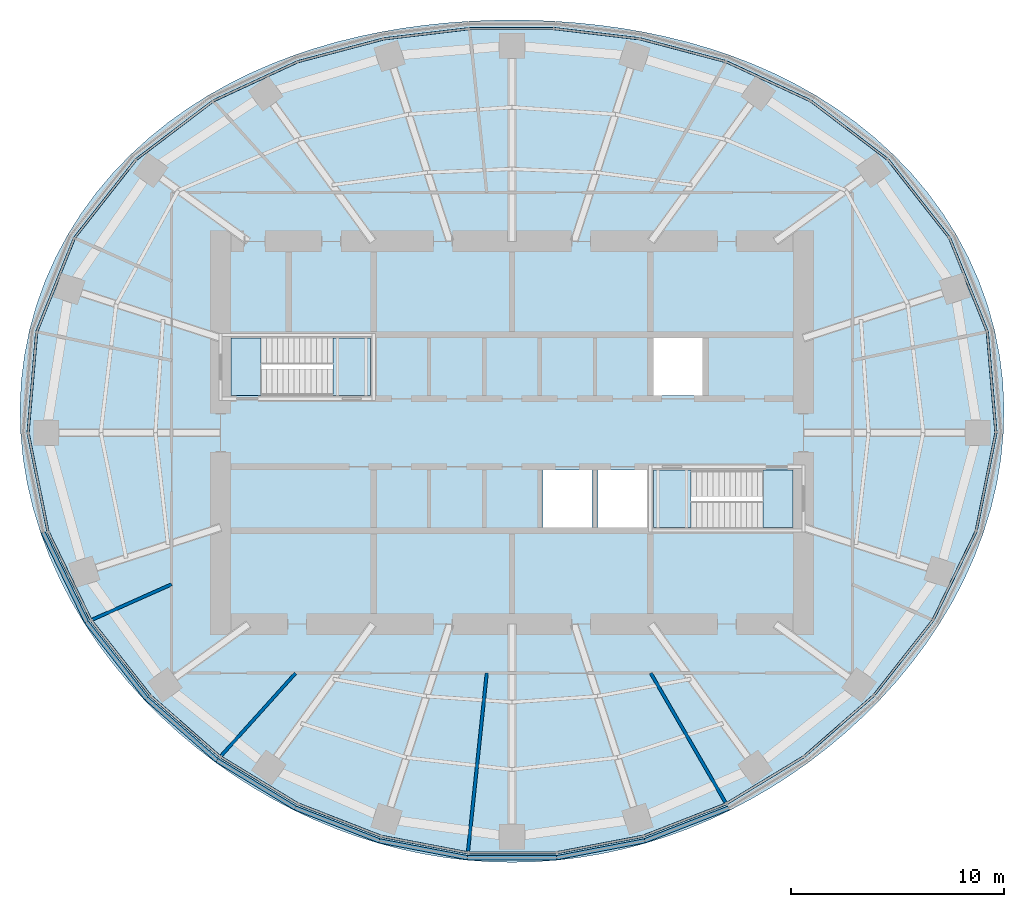
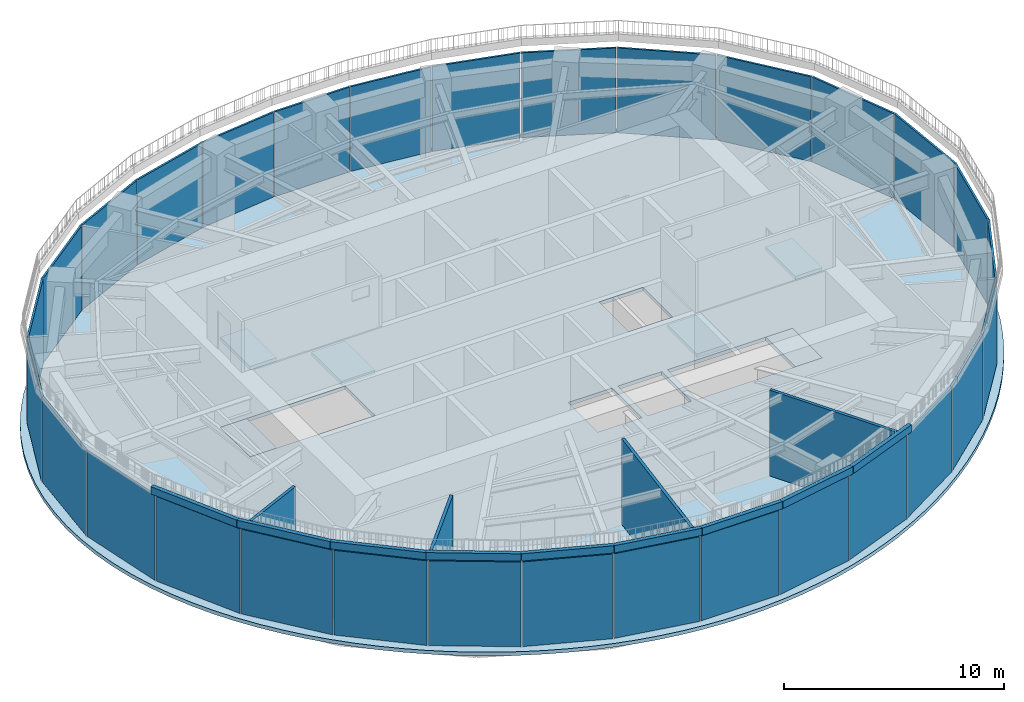
# One storey, part 9 of 19: 30 plates, 13 walls, 7 slabs, 8 elements without a shape of their own.
"""IFC4 building model written with IfcOpenShell, lengths in metres."""

import ifcopenshell
import ifcopenshell.guid

model = None  # the IFC model being written
_history = None  # IfcOwnerHistory: only IFC2X3 demands one
_inside = {}  # id of a spatial element -> (the spatial element, [elements in it])
_under = {}  # id of a project, library or spatial element -> (it, [spatial elements below it])
_declared = {}  # id of a project -> (the project, [libraries it declares])
_typed = {}  # id of a type object -> (the type object, [elements of that type])
_made_of = {}  # id of a material, layer set ... -> (it, [elements and type objects made of it])


def new_model(schema):
    """Start an empty IFC model of exactly this schema.

    Asked for "IFC4X3", IfcOpenShell would pick the latest addendum, in which some entities
    have other attributes; the version numbers below select the first issue.
    IFC2X3 requires an IfcOwnerHistory on every rooted entity: one is made here for all.
    """
    global model, _history
    if schema == "IFC4X3":
        model = ifcopenshell.file(schema_version=(4, 3, 0, 0))
    else:
        model = ifcopenshell.file(schema=schema)
    _inside.clear()
    _under.clear()
    _declared.clear()
    _typed.clear()
    _made_of.clear()
    _history = None
    if model.schema == "IFC2X3":
        org = make("IfcOrganization", Name="unknown")
        user = make(
            "IfcPersonAndOrganization",
            ThePerson=make("IfcPerson", FamilyName="unknown"),
            TheOrganization=org,
        )
        app = make(
            "IfcApplication",
            ApplicationDeveloper=org,
            Version="unknown",
            ApplicationFullName="unknown",
            ApplicationIdentifier="unknown",
        )
        _history = make(
            "IfcOwnerHistory",
            OwningUser=user,
            OwningApplication=app,
            ChangeAction="ADDED",
            CreationDate=0,
        )
    return model


def make(cls, **values):
    """One entity of the class cls with the attributes given. An attribute that is None is left unset."""
    return model.create_entity(
        cls, **{name: value for name, value in values.items() if value is not None}
    )


def rooted(cls, **values):
    """An entity with a GlobalId (a new one), such as an element, a storey or a relation."""
    return make(cls, GlobalId=ifcopenshell.guid.new(), OwnerHistory=_history, **values)


def si_unit(unit_type, name, prefix=None):
    """IfcSIUnit, for example si_unit("LENGTHUNIT", "METRE", prefix="MILLI")."""
    return make("IfcSIUnit", UnitType=unit_type, Prefix=prefix, Name=name)


def assignment(units):
    """IfcUnitAssignment: the units of a project."""
    return None if units is None else make("IfcUnitAssignment", Units=units)


def point(xyz):
    """IfcCartesianPoint."""
    return None if xyz is None else make("IfcCartesianPoint", Coordinates=xyz)


def direction(xyz):
    """IfcDirection."""
    return None if xyz is None else make("IfcDirection", DirectionRatios=xyz)


def frame(location, z_axis=None, x_axis=None):
    """IfcAxis2Placement3D, a coordinate frame: its origin and axes. An axis left out is left unset."""
    return make(
        "IfcAxis2Placement3D",
        Location=point(location),
        Axis=direction(z_axis),
        RefDirection=direction(x_axis),
    )


def frame_2d(location, x_axis=None):
    """IfcAxis2Placement2D, a coordinate frame in the plane: its origin and x axis."""
    return make(
        "IfcAxis2Placement2D", Location=point(location), RefDirection=direction(x_axis)
    )


def origin():
    """The frame at (0, 0, 0) with its axes left unset."""
    return frame((0.0, 0.0, 0.0))


def origin_2d():
    """The frame at (0, 0) in the plane with its x axis left unset."""
    return frame_2d((0.0, 0.0))


def place(relative_to, where):
    """IfcLocalPlacement: puts the frame where relative to a parent placement (None: the world)."""
    return make(
        "IfcLocalPlacement", PlacementRelTo=relative_to, RelativePlacement=where
    )


def context(
    kind, dimensions, precision=None, world=None, true_north=None, identifier=None
):
    """IfcGeometricRepresentationContext, for example the 3D "Model" context."""
    return make(
        "IfcGeometricRepresentationContext",
        ContextIdentifier=identifier,
        ContextType=kind,
        CoordinateSpaceDimension=dimensions,
        Precision=precision,
        WorldCoordinateSystem=world,
        TrueNorth=true_north,
    )


def subcontext(parent, identifier, kind, view, scale=None):
    """IfcGeometricRepresentationSubContext, for example "Body" below "Model"."""
    return make(
        "IfcGeometricRepresentationSubContext",
        ContextIdentifier=identifier,
        ContextType=kind,
        ParentContext=parent,
        TargetScale=scale,
        TargetView=view,
    )


def project(units=None, contexts=None):
    """IfcProject with its units and contexts."""
    return rooted(
        "IfcProject",
        Name="project",
        RepresentationContexts=contexts,
        UnitsInContext=assignment(units),
    )


def spatial(cls, under=None, at=None, **own):
    """A site, building, storey or space (cls), placed at a placement, below another one or the project."""
    s = rooted(cls, ObjectPlacement=at, **own)
    if under is not None:
        _under.setdefault(under.id(), (under, []))[1].append(s)
    return s


def polyline(points):
    """IfcPolyline through the points."""
    return make("IfcPolyline", Points=[point(p) for p in points])


def profile(cls, at=None, kind="AREA", **sizes):
    """A parametric profile (cls). Its sizes go by their IFC names, for example OverallWidth=200.0."""
    return make(cls, ProfileType=kind, Position=at, **sizes)


def rectangle(**sizes):
    """IfcRectangleProfileDef."""
    return profile("IfcRectangleProfileDef", **sizes)


def outline(outer, holes=None, kind="AREA"):
    """IfcArbitraryClosedProfileDef: a profile drawn as a closed curve; with holes, ...WithVoids."""
    if holes is None:
        return make("IfcArbitraryClosedProfileDef", ProfileType=kind, OuterCurve=outer)
    return make(
        "IfcArbitraryProfileDefWithVoids",
        ProfileType=kind,
        OuterCurve=outer,
        InnerCurves=holes,
    )


def extrude(swept, where, along, depth):
    """IfcExtrudedAreaSolid: the profile swept, set in the frame where, extruded along a direction by depth."""
    return make(
        "IfcExtrudedAreaSolid",
        SweptArea=swept,
        Position=where,
        ExtrudedDirection=direction(along),
        Depth=depth,
    )


def shape(context_of_items, identifier, shape_type, items):
    """IfcShapeRepresentation: the items that make up one representation, for example the "Body"."""
    return make(
        "IfcShapeRepresentation",
        ContextOfItems=context_of_items,
        RepresentationIdentifier=identifier,
        RepresentationType=shape_type,
        Items=items,
    )


def material(Name=None, Category=None):
    """IfcMaterial."""
    return make("IfcMaterial", Name=Name, Category=Category)


def layer(
    of_material, thickness, ventilated=None, Name=None, Category=None, Priority=None
):
    """IfcMaterialLayer: one layer of a wall or slab, of a material (None: an air gap)."""
    return make(
        "IfcMaterialLayer",
        Material=of_material,
        LayerThickness=thickness,
        IsVentilated=ventilated,
        Name=Name,
        Category=Category,
        Priority=Priority,
    )


def layer_set(layers, Name=None):
    """IfcMaterialLayerSet."""
    return make("IfcMaterialLayerSet", MaterialLayers=layers, LayerSetName=Name)


def made_of(thing, what):
    """Note that an element or type object is made of a material, layer set ...; save() writes the relation."""
    if what is not None:
        _made_of.setdefault(what.id(), (what, []))[1].append(thing)
    return thing


def type_object(cls, material=None, **own):
    """A type object (cls), such as IfcWallType, which elements share."""
    return made_of(rooted(cls, **own), material)


def element(
    cls,
    number,
    at=None,
    inside=None,
    cuts=None,
    type_object=None,
    material=None,
    context=None,
    identifier="Body",
    shape_type=None,
    held_by="IfcProductDefinitionShape",
    body=None,
    shapes=None,
    **own,
):
    """One element of the class cls, such as IfcWall. Its Tag is "e" and its number.

    at: its placement. inside: the storey or other place that contains it. cuts: it is an
    opening in that element (IfcRelVoidsElement). A single representation is given by context,
    identifier, shape_type and body (its items); several are given by shapes. held_by: the class
    of the entity that holds the representations. save() writes the other relations.
    """
    e = rooted(cls, Tag="e%d" % number, ObjectPlacement=at, **own)
    if body is not None:
        shapes = [shape(context, identifier, shape_type, body)]
    if shapes is not None:
        e.Representation = make(held_by, Representations=shapes)
    if inside is not None:
        _inside.setdefault(inside.id(), (inside, []))[1].append(e)
    if cuts is not None:
        rooted(
            "IfcRelVoidsElement", RelatingBuildingElement=cuts, RelatedOpeningElement=e
        )
    if type_object is not None:
        _typed.setdefault(type_object.id(), (type_object, []))[1].append(e)
    return made_of(e, material)


def aggregate(whole, parts):
    """IfcRelAggregates: a whole, such as a stair, and the parts it consists of."""
    return rooted("IfcRelAggregates", RelatingObject=whole, RelatedObjects=parts)


def save(model, path):
    """Write the relations noted so far, then the file.

    IfcRelAggregates (storeys below a building ...), IfcRelContainedInSpatialStructure (elements
    in a storey), IfcRelDefinesByType, IfcRelAssociatesMaterial and IfcRelDeclares: one each for
    every whole, place, type object, material and project.
    """
    for whole, parts in _under.values():
        aggregate(whole, parts)
    for where, things in _inside.values():
        rooted(
            "IfcRelContainedInSpatialStructure",
            RelatedElements=things,
            RelatingStructure=where,
        )
    for kind, things in _typed.values():
        rooted("IfcRelDefinesByType", RelatedObjects=things, RelatingType=kind)
    for what, things in _made_of.values():
        rooted("IfcRelAssociatesMaterial", RelatedObjects=things, RelatingMaterial=what)
    for by, libraries in _declared.values():
        rooted("IfcRelDeclares", RelatingContext=by, RelatedDefinitions=libraries)
    model.write(path)


model = new_model("IFC4")

# Units and contexts
model_context = context("Model", 3, precision=1e-05, world=origin(), true_north=direction((0.0, 1.0)))
body_context = subcontext(model_context, "Body", "Model", "MODEL_VIEW")
ifc_project = project(units=[si_unit("LENGTHUNIT", "METRE"), si_unit("AREAUNIT", "SQUARE_METRE"), si_unit("VOLUMEUNIT", "CUBIC_METRE"), si_unit("PLANEANGLEUNIT", "RADIAN"), si_unit("MASSUNIT", "GRAM", prefix="KILO")], contexts=[model_context])

# Site, building, storey
site_placement = place(None, origin())
site = spatial("IfcSite", under=ifc_project, at=site_placement, CompositionType="ELEMENT")
building_placement = place(site_placement, origin())
building = spatial("IfcBuilding", under=site, at=building_placement, Name="Marramba Exchange Tower", CompositionType="ELEMENT")
storey_placement = place(building_placement, frame((0.0, 0.0, 277.0)))
storey = spatial("IfcBuildingStorey", under=building, at=storey_placement, Name="L67", CompositionType="ELEMENT", Elevation=277.0)

# Slab
ifc_material_1 = material(Name="Concrete N40", Category="concrete")
ifc_layer_1 = layer(ifc_material_1, 0.199951171875)
ifc_layer_set_1 = layer_set([ifc_layer_1], Name="Floor slab 200")
slab_type_1 = type_object("IfcSlabType", Name="Floor slab 200", PredefinedType="FLOOR", material=ifc_layer_set_1)
slab_1_placement = place(storey_placement, frame((0.0, 0.0, -0.199951171875)))
element("IfcSlab", 1, at=slab_1_placement, inside=storey, type_object=slab_type_1, Name="Floor slab L67", PredefinedType="FLOOR", context=body_context, shape_type="SweptSolid", body=[
    extrude(outline(polyline([(23.10009765625, 0.0), (23.129150390625, 1.212158203125), (23.070068359375, 2.4248046875), (22.921630859375, 3.63037109375), (22.6845703125, 4.82177734375), (22.359619140625, 5.9912109375), (21.94970703125, 7.1318359375), (21.4580078125, 8.237060546875), (20.889404296875, 9.300537109375), (20.248779296875, 10.3173828125), (19.542236328125, 11.28271484375), (18.77587890625, 12.193359375), (17.95654296875, 13.046142578125), (17.090576171875, 13.83984375), (16.18505859375, 14.572998046875), (15.245849609375, 15.245849609375), (14.279541015625, 15.85888671875), (13.291259765625, 16.413330078125), (12.28662109375, 16.9111328125), (11.270263671875, 17.3544921875), (10.24560546875, 17.745849609375), (9.21630859375, 18.088134765625), (8.185302734375, 18.38427734375), (7.154296875, 18.63720703125), (6.124755859375, 18.849853515625), (5.09765625, 19.024658203125), (4.073486328125, 19.1640625), (3.05224609375, 19.2705078125), (2.033203125, 19.344970703125), (1.01611328125, 19.389404296875), (0.0, 19.404052734375), (-1.01611328125, 19.389404296875), (-2.033203125, 19.344970703125), (-3.05224609375, 19.2705078125), (-4.073486328125, 19.1640625), (-5.09765625, 19.024658203125), (-6.124755859375, 18.849853515625), (-7.154296875, 18.63720703125), (-8.185302734375, 18.38427734375), (-9.21630859375, 18.088134765625), (-10.24560546875, 17.745849609375), (-11.270263671875, 17.3544921875), (-12.28662109375, 16.9111328125), (-13.291259765625, 16.413330078125), (-14.279541015625, 15.85888671875), (-15.245849609375, 15.245849609375), (-16.18505859375, 14.572998046875), (-17.090576171875, 13.83984375), (-17.95654296875, 13.046142578125), (-18.77587890625, 12.193359375), (-19.542236328125, 11.28271484375), (-20.248779296875, 10.3173828125), (-20.889404296875, 9.300537109375), (-21.4580078125, 8.237060546875), (-21.94970703125, 7.1318359375), (-22.359619140625, 5.9912109375), (-22.6845703125, 4.82177734375), (-22.921630859375, 3.63037109375), (-23.070068359375, 2.4248046875), (-23.129150390625, 1.212158203125), (-23.10009765625, 0.0), (-22.98486328125, -1.20458984375), (-22.78662109375, -2.39501953125), (-22.50927734375, -3.565185546875), (-22.1572265625, -4.709716796875), (-21.736083984375, -5.82421875), (-21.250732421875, -6.90478515625), (-20.706787109375, -7.948486328125), (-20.109619140625, -8.953369140625), (-19.46435546875, -9.91748046875), (-18.77587890625, -10.84033203125), (-18.048583984375, -11.720947265625), (-17.2861328125, -12.55908203125), (-16.4921875, -13.355224609375), (-15.669677734375, -14.10888671875), (-14.820556640625, -14.820556640625), (-13.947509765625, -15.490478515625), (-13.05224609375, -16.1181640625), (-12.1357421875, -16.703369140625), (-11.199951171875, -17.246337890625), (-10.24560546875, -17.745849609375), (-9.274169921875, -18.20166015625), (-8.287109375, -18.613037109375), (-7.285400390625, -18.978759765625), (-6.2705078125, -19.29833984375), (-5.243896484375, -19.570556640625), (-4.20751953125, -19.79443359375), (-3.162841796875, -19.9697265625), (-2.112060546875, -20.09521484375), (-1.05712890625, -20.1708984375), (0.0, -20.196044921875), (1.05712890625, -20.1708984375), (2.112060546875, -20.09521484375), (3.162841796875, -19.9697265625), (4.20751953125, -19.79443359375), (5.243896484375, -19.570556640625), (6.2705078125, -19.29833984375), (7.285400390625, -18.978759765625), (8.287109375, -18.613037109375), (9.274169921875, -18.20166015625), (10.24560546875, -17.745849609375), (11.199951171875, -17.246337890625), (12.1357421875, -16.703369140625), (13.05224609375, -16.1181640625), (13.947509765625, -15.490478515625), (14.820556640625, -14.820556640625), (15.669677734375, -14.10888671875), (16.4921875, -13.355224609375), (17.2861328125, -12.55908203125), (18.048583984375, -11.720947265625), (18.77587890625, -10.84033203125), (19.46435546875, -9.91748046875), (20.109619140625, -8.953369140625), (20.706787109375, -7.948486328125), (21.250732421875, -6.90478515625), (21.736083984375, -5.82421875), (22.1572265625, -4.709716796875), (22.50927734375, -3.565185546875), (22.78662109375, -2.39501953125), (22.98486328125, -1.20458984375), (23.10009765625, 0.0)]), holes=[polyline([(1.449951171875, -4.449951171875), (3.75, -4.449951171875), (3.75, -1.75), (1.449951171875, -1.75), (1.449951171875, -4.449951171875)]), polyline([(4.050048828125, -4.449951171875), (6.35009765625, -4.449951171875), (6.35009765625, -1.75), (4.050048828125, -1.75), (4.050048828125, -4.449951171875)]), polyline([(6.64990234375, 1.75), (8.949951171875, 1.75), (8.949951171875, 4.449951171875), (6.64990234375, 4.449951171875), (6.64990234375, 1.75)]), polyline([(-13.199951171875, 1.75), (-6.64990234375, 1.75), (-6.64990234375, 4.449951171875), (-13.199951171875, 4.449951171875), (-13.199951171875, 1.75)]), polyline([(6.64990234375, -4.449951171875), (13.199951171875, -4.449951171875), (13.199951171875, -1.75), (6.64990234375, -1.75), (6.64990234375, -4.449951171875)])]), origin(), (0.0, 0.0, 1.0), 0.199951171875),
])

# Curtain wall, plates
ifc_material_2 = material(Name="Aluminium framing, bronze anodised", Category="aluminium")
curtain_wall_type = type_object("IfcCurtainWallType", Name="Plant floor louvred curtain wall", PredefinedType="USERDEFINED", material=ifc_material_2)
curtain_wall_1_placement = place(storey_placement, origin())
curtain_wall_1 = element("IfcCurtainWall", 2, at=curtain_wall_1_placement, inside=storey, type_object=curtain_wall_type, Name="Curtain wall CW6 L67 F01-F05", ObjectType="RIBBON CURTAIN WALL", PredefinedType="USERDEFINED")
ifc_material_3 = material(Name="Aluminium louvre bank 100 deep, bronze anodised", Category="aluminium")
ifc_layer_2 = layer(ifc_material_3, 0.10009765625)
ifc_layer_set_2 = layer_set([ifc_layer_2], Name="Plant floor louvred curtain wall panel")
plate_type = type_object("IfcPlateType", Name="Plant floor louvred curtain wall panel", PredefinedType="CURTAIN_PANEL", material=ifc_layer_set_2)
plate_1_placement = place(storey_placement, frame((22.54345703125, 2.404296875, 0.06005859375), z_axis=(0.0, 0.0, 1.0), x_axis=(-0.085574009881, 0.996331816632, 0.0)))
plate_1 = element("IfcPlate", 3, at=plate_1_placement, type_object=plate_type, Name="CW6 vision panel", PredefinedType="CURTAIN_PANEL", context=body_context, shape_type="SweptSolid", body=[
    extrude(rectangle(XDim=4.70654296875, YDim=0.10009765625, at=origin_2d()), origin(), (0.0, 0.0, 1.0), 4.68994140625),
])
plate_2_placement = place(storey_placement, frame((21.444580078125, 6.9814453125, 0.06005859375), z_axis=(0.0, 0.0, 1.0), x_axis=(-0.372983090774, 0.927838139977, 0.0)))
plate_2 = element("IfcPlate", 4, at=plate_2_placement, type_object=plate_type, Name="CW6 vision panel", PredefinedType="CURTAIN_PANEL", context=body_context, shape_type="SweptSolid", body=[
    extrude(rectangle(XDim=4.692138671875, YDim=0.10009765625, at=origin_2d()), origin(), (0.0, 0.0, 1.0), 4.68994140625),
])
plate_3_placement = place(storey_placement, frame((19.10302734375, 11.02294921875, 0.06005859375), z_axis=(0.0, 0.0, 1.0), x_axis=(-0.618222857512, 0.786002861604, 0.0)))
plate_3 = element("IfcPlate", 5, at=plate_3_placement, type_object=plate_type, Name="CW6 vision panel", PredefinedType="CURTAIN_PANEL", context=body_context, shape_type="SweptSolid", body=[
    extrude(rectangle(XDim=4.624755859375, YDim=0.10009765625, at=origin_2d()), origin(), (0.0, 0.0, 1.0), 4.68994140625),
])
plate_4_placement = place(storey_placement, frame((15.83544921875, 14.23779296875, 0.06005859375), z_axis=(0.0, 0.0, 1.0), x_axis=(-0.796058900199, 0.605219156516, 0.0)))
plate_4 = element("IfcPlate", 6, at=plate_4_placement, type_object=plate_type, Name="CW6 vision panel", PredefinedType="CURTAIN_PANEL", context=body_context, shape_type="SweptSolid", body=[
    extrude(rectangle(XDim=4.49755859375, YDim=0.10009765625, at=origin_2d()), origin(), (0.0, 0.0, 1.0), 4.68994140625),
])
plate_5_placement = place(storey_placement, frame((12.03076171875, 16.533447265625, 0.06005859375), z_axis=(0.0, 0.0, 1.0), x_axis=(-0.90713057934, 0.420849274712, 0.0)))
plate_5 = element("IfcPlate", 7, at=plate_5_placement, type_object=plate_type, Name="CW6 vision panel", PredefinedType="CURTAIN_PANEL", context=body_context, shape_type="SweptSolid", body=[
    extrude(rectangle(XDim=4.321533203125, YDim=0.10009765625, at=origin_2d()), origin(), (0.0, 0.0, 1.0), 4.68994140625),
])
aggregate(curtain_wall_1, [plate_1, plate_2, plate_3, plate_4, plate_5])

curtain_wall_2_placement = place(storey_placement, origin())
curtain_wall_2 = element("IfcCurtainWall", 8, at=curtain_wall_2_placement, inside=storey, type_object=curtain_wall_type, Name="Curtain wall CW6 L67 F06-F10", ObjectType="RIBBON CURTAIN WALL", PredefinedType="USERDEFINED")
plate_6_placement = place(storey_placement, frame((8.0146484375, 17.987548828125, 0.06005859375), z_axis=(0.0, 0.0, 1.0), x_axis=(-0.966643517501, 0.256125574813, 0.0)))
plate_6 = element("IfcPlate", 9, at=plate_6_placement, type_object=plate_type, Name="CW6 vision panel", PredefinedType="CURTAIN_PANEL", context=body_context, shape_type="SweptSolid", body=[
    extrude(rectangle(XDim=4.134033203125, YDim=0.10009765625, at=origin_2d()), origin(), (0.0, 0.0, 1.0), 4.68994140625),
])
plate_7_placement = place(storey_placement, frame((3.976806640625, 18.760498046875, 0.06005859375), z_axis=(0.0, 0.0, 1.0), x_axis=(-0.992947253654, 0.118556954505, 0.0)))
plate_7 = element("IfcPlate", 10, at=plate_7_placement, type_object=plate_type, Name="CW6 vision panel", PredefinedType="CURTAIN_PANEL", context=body_context, shape_type="SweptSolid", body=[
    extrude(rectangle(XDim=3.988525390625, YDim=0.10009765625, at=origin_2d()), origin(), (0.0, 0.0, 1.0), 4.68994140625),
])
plate_8_placement = place(storey_placement, frame((-0.030029296875, 18.9970703125, 0.06005859375), z_axis=(0.0, 0.0, 1.0), x_axis=(-1.0, 0.0, 0.0)))
plate_8 = element("IfcPlate", 11, at=plate_8_placement, type_object=plate_type, Name="CW6 vision panel", PredefinedType="CURTAIN_PANEL", context=body_context, shape_type="SweptSolid", body=[
    extrude(rectangle(XDim=3.933349609375, YDim=0.10009765625, at=origin_2d()), origin(), (0.0, 0.0, 1.0), 4.68994140625),
])
plate_9_placement = place(storey_placement, frame((-4.036376953125, 18.75341796875, 0.06005859375), z_axis=(0.0, 0.0, 1.0), x_axis=(-0.992947253654, -0.118556954505, 0.0)))
plate_9 = element("IfcPlate", 12, at=plate_9_placement, type_object=plate_type, Name="CW6 vision panel", PredefinedType="CURTAIN_PANEL", context=body_context, shape_type="SweptSolid", body=[
    extrude(rectangle(XDim=3.988525390625, YDim=0.10009765625, at=origin_2d()), origin(), (0.0, 0.0, 1.0), 4.68994140625),
])
plate_10_placement = place(storey_placement, frame((-8.072509765625, 17.97216796875, 0.06005859375), z_axis=(0.0, 0.0, 1.0), x_axis=(-0.966643517501, -0.256125574813, 0.0)))
plate_10 = element("IfcPlate", 13, at=plate_10_placement, type_object=plate_type, Name="CW6 vision panel", PredefinedType="CURTAIN_PANEL", context=body_context, shape_type="SweptSolid", body=[
    extrude(rectangle(XDim=4.134033203125, YDim=0.10009765625, at=origin_2d()), origin(), (0.0, 0.0, 1.0), 4.68994140625),
])
aggregate(curtain_wall_2, [plate_6, plate_7, plate_8, plate_9, plate_10])

curtain_wall_3_placement = place(storey_placement, origin())
curtain_wall_3 = element("IfcCurtainWall", 14, at=curtain_wall_3_placement, inside=storey, type_object=curtain_wall_type, Name="Curtain wall CW6 L67 F11-F15", ObjectType="RIBBON CURTAIN WALL", PredefinedType="USERDEFINED")
plate_11_placement = place(storey_placement, frame((-12.085205078125, 16.50830078125, 0.06005859375), z_axis=(0.0, 0.0, 1.0), x_axis=(-0.90713057934, -0.420849274712, 0.0)))
plate_11 = element("IfcPlate", 15, at=plate_11_placement, type_object=plate_type, Name="CW6 vision panel", PredefinedType="CURTAIN_PANEL", context=body_context, shape_type="SweptSolid", body=[
    extrude(rectangle(XDim=4.321533203125, YDim=0.10009765625, at=origin_2d()), origin(), (0.0, 0.0, 1.0), 4.68994140625),
])
plate_12_placement = place(storey_placement, frame((-15.88330078125, 14.201416015625, 0.06005859375), z_axis=(0.0, 0.0, 1.0), x_axis=(-0.796058900199, -0.605219156516, 0.0)))
plate_12 = element("IfcPlate", 16, at=plate_12_placement, type_object=plate_type, Name="CW6 vision panel", PredefinedType="CURTAIN_PANEL", context=body_context, shape_type="SweptSolid", body=[
    extrude(rectangle(XDim=4.49755859375, YDim=0.10009765625, at=origin_2d()), origin(), (0.0, 0.0, 1.0), 4.68994140625),
])
plate_13_placement = place(storey_placement, frame((-19.14013671875, 10.975830078125, 0.06005859375), z_axis=(0.0, 0.0, 1.0), x_axis=(-0.618222857512, -0.786002861604, 0.0)))
plate_13 = element("IfcPlate", 17, at=plate_13_placement, type_object=plate_type, Name="CW6 vision panel", PredefinedType="CURTAIN_PANEL", context=body_context, shape_type="SweptSolid", body=[
    extrude(rectangle(XDim=4.624755859375, YDim=0.10009765625, at=origin_2d()), origin(), (0.0, 0.0, 1.0), 4.68994140625),
])
plate_14_placement = place(storey_placement, frame((-21.467041015625, 6.92578125, 0.06005859375), z_axis=(0.0, 0.0, 1.0), x_axis=(-0.372983090774, -0.927838139977, 0.0)))
plate_14 = element("IfcPlate", 18, at=plate_14_placement, type_object=plate_type, Name="CW6 vision panel", PredefinedType="CURTAIN_PANEL", context=body_context, shape_type="SweptSolid", body=[
    extrude(rectangle(XDim=4.692138671875, YDim=0.10009765625, at=origin_2d()), origin(), (0.0, 0.0, 1.0), 4.68994140625),
])
plate_15_placement = place(storey_placement, frame((-22.548583984375, 2.344482421875, 0.06005859375), z_axis=(0.0, 0.0, 1.0), x_axis=(-0.085574009881, -0.996331816632, 0.0)))
plate_15 = element("IfcPlate", 19, at=plate_15_placement, type_object=plate_type, Name="CW6 vision panel", PredefinedType="CURTAIN_PANEL", context=body_context, shape_type="SweptSolid", body=[
    extrude(rectangle(XDim=4.70654296875, YDim=0.10009765625, at=origin_2d()), origin(), (0.0, 0.0, 1.0), 4.68994140625),
])
aggregate(curtain_wall_3, [plate_11, plate_12, plate_13, plate_14, plate_15])

curtain_wall_4_placement = place(storey_placement, origin())
curtain_wall_4 = element("IfcCurtainWall", 20, at=curtain_wall_4_placement, inside=storey, type_object=curtain_wall_type, Name="Curtain wall CW6 L67 F16-F20", ObjectType="RIBBON CURTAIN WALL", PredefinedType="USERDEFINED")
plate_16_placement = place(storey_placement, frame((-22.276611328125, -2.347900390625, 0.06005859375), z_axis=(0.0, 0.0, 1.0), x_axis=(0.19767053089, -0.980268514856, 0.0)))
plate_16 = element("IfcPlate", 21, at=plate_16_placement, type_object=plate_type, Name="CW6 vision panel", PredefinedType="CURTAIN_PANEL", context=body_context, shape_type="SweptSolid", body=[
    extrude(rectangle(XDim=4.670166015625, YDim=0.10009765625, at=origin_2d()), origin(), (0.0, 0.0, 1.0), 4.68994140625),
])
plate_17_placement = place(storey_placement, frame((-20.789306640625, -6.7509765625, 0.06005859375), z_axis=(0.0, 0.0, 1.0), x_axis=(0.436514585945, -0.89969718031, 0.0)))
plate_17 = element("IfcPlate", 22, at=plate_17_placement, type_object=plate_type, Name="CW6 vision panel", PredefinedType="CURTAIN_PANEL", context=body_context, shape_type="SweptSolid", body=[
    extrude(rectangle(XDim=4.579345703125, YDim=0.10009765625, at=origin_2d()), origin(), (0.0, 0.0, 1.0), 4.68994140625),
])
plate_18_placement = place(storey_placement, frame((-18.3779296875, -10.605712890625, 0.06005859375), z_axis=(0.0, 0.0, 1.0), x_axis=(0.618290634763, -0.78594954734, 0.0)))
plate_18 = element("IfcPlate", 23, at=plate_18_placement, type_object=plate_type, Name="CW6 vision panel", PredefinedType="CURTAIN_PANEL", context=body_context, shape_type="SweptSolid", body=[
    extrude(rectangle(XDim=4.447265625, YDim=0.10009765625, at=origin_2d()), origin(), (0.0, 0.0, 1.0), 4.68994140625),
])
plate_19_placement = place(storey_placement, frame((-15.335693359375, -13.8115234375, 0.06005859375), z_axis=(0.0, 0.0, 1.0), x_axis=(0.752751050569, -0.658305290779, 0.0)))
plate_19 = element("IfcPlate", 24, at=plate_19_placement, type_object=plate_type, Name="CW6 vision panel", PredefinedType="CURTAIN_PANEL", context=body_context, shape_type="SweptSolid", body=[
    extrude(rectangle(XDim=4.31005859375, YDim=0.10009765625, at=origin_2d()), origin(), (0.0, 0.0, 1.0), 4.68994140625),
])
plate_20_placement = place(storey_placement, frame((-11.866455078125, -16.35205078125, 0.06005859375), z_axis=(0.0, 0.0, 1.0), x_axis=(0.854704329539, -0.519115121209, 0.0)))
plate_20 = element("IfcPlate", 25, at=plate_20_placement, type_object=plate_type, Name="CW6 vision panel", PredefinedType="CURTAIN_PANEL", context=body_context, shape_type="SweptSolid", body=[
    extrude(rectangle(XDim=4.2021484375, YDim=0.10009765625, at=origin_2d()), origin(), (0.0, 0.0, 1.0), 4.68994140625),
])
aggregate(curtain_wall_4, [plate_16, plate_17, plate_18, plate_19, plate_20])

curtain_wall_5_placement = place(storey_placement, origin())
curtain_wall_5 = element("IfcCurtainWall", 26, at=curtain_wall_5_placement, inside=storey, type_object=curtain_wall_type, Name="Curtain wall CW6 L67 F21-F25", ObjectType="RIBBON CURTAIN WALL", PredefinedType="USERDEFINED")
plate_21_placement = place(storey_placement, frame((-8.08837890625, -18.215087890625, 0.06005859375), z_axis=(0.0, 0.0, 1.0), x_axis=(0.931785137859, -0.363010271018, 0.0)))
plate_21 = element("IfcPlate", 27, at=plate_21_placement, type_object=plate_type, Name="CW6 vision panel", PredefinedType="CURTAIN_PANEL", context=body_context, shape_type="SweptSolid", body=[
    extrude(rectangle(XDim=4.134521484375, YDim=0.10009765625, at=origin_2d()), origin(), (0.0, 0.0, 1.0), 4.68994140625),
])
plate_22_placement = place(storey_placement, frame((-4.08935546875, -19.36181640625, 0.06005859375), z_axis=(0.0, 0.0, 1.0), x_axis=(0.982193291127, -0.187873198899, 0.0)))
plate_22 = element("IfcPlate", 28, at=plate_22_placement, type_object=plate_type, Name="CW6 vision panel", PredefinedType="CURTAIN_PANEL", context=body_context, shape_type="SweptSolid", body=[
    extrude(rectangle(XDim=4.100830078125, YDim=0.10009765625, at=origin_2d()), origin(), (0.0, 0.0, 1.0), 4.68994140625),
])
plate_23_placement = place(storey_placement, frame((0.030029296875, -19.7470703125, 0.06005859375), z_axis=(0.0, 0.0, 1.0), x_axis=(1.0, 0.0, 0.0)))
plate_23 = element("IfcPlate", 29, at=plate_23_placement, type_object=plate_type, Name="CW6 vision panel", PredefinedType="CURTAIN_PANEL", context=body_context, shape_type="SweptSolid", body=[
    extrude(rectangle(XDim=4.091064453125, YDim=0.10009765625, at=origin_2d()), origin(), (0.0, 0.0, 1.0), 4.68994140625),
])
plate_24_placement = place(storey_placement, frame((4.1484375, -19.3505859375, 0.06005859375), z_axis=(0.0, 0.0, 1.0), x_axis=(0.982193291127, 0.187873198899, 0.0)))
plate_24 = element("IfcPlate", 30, at=plate_24_placement, type_object=plate_type, Name="CW6 vision panel", PredefinedType="CURTAIN_PANEL", context=body_context, shape_type="SweptSolid", body=[
    extrude(rectangle(XDim=4.100830078125, YDim=0.10009765625, at=origin_2d()), origin(), (0.0, 0.0, 1.0), 4.68994140625),
])
plate_25_placement = place(storey_placement, frame((8.144287109375, -18.193115234375, 0.06005859375), z_axis=(0.0, 0.0, 1.0), x_axis=(0.931785137859, 0.363010271018, 0.0)))
plate_25 = element("IfcPlate", 31, at=plate_25_placement, type_object=plate_type, Name="CW6 vision panel", PredefinedType="CURTAIN_PANEL", context=body_context, shape_type="SweptSolid", body=[
    extrude(rectangle(XDim=4.134521484375, YDim=0.10009765625, at=origin_2d()), origin(), (0.0, 0.0, 1.0), 4.68994140625),
])
aggregate(curtain_wall_5, [plate_21, plate_22, plate_23, plate_24, plate_25])

curtain_wall_6_placement = place(storey_placement, origin())
curtain_wall_6 = element("IfcCurtainWall", 32, at=curtain_wall_6_placement, inside=storey, type_object=curtain_wall_type, Name="Curtain wall CW6 L67 F26-F30", ObjectType="RIBBON CURTAIN WALL", PredefinedType="USERDEFINED")
plate_26_placement = place(storey_placement, frame((11.917724609375, -16.321044921875, 0.06005859375), z_axis=(0.0, 0.0, 1.0), x_axis=(0.854704329539, 0.519115121209, 0.0)))
plate_26 = element("IfcPlate", 33, at=plate_26_placement, type_object=plate_type, Name="CW6 vision panel", PredefinedType="CURTAIN_PANEL", context=body_context, shape_type="SweptSolid", body=[
    extrude(rectangle(XDim=4.2021484375, YDim=0.10009765625, at=origin_2d()), origin(), (0.0, 0.0, 1.0), 4.68994140625),
])
plate_27_placement = place(storey_placement, frame((15.380859375, -13.772216796875, 0.06005859375), z_axis=(0.0, 0.0, 1.0), x_axis=(0.752751050569, 0.658305290779, 0.0)))
plate_27 = element("IfcPlate", 34, at=plate_27_placement, type_object=plate_type, Name="CW6 vision panel", PredefinedType="CURTAIN_PANEL", context=body_context, shape_type="SweptSolid", body=[
    extrude(rectangle(XDim=4.31005859375, YDim=0.10009765625, at=origin_2d()), origin(), (0.0, 0.0, 1.0), 4.68994140625),
])
plate_28_placement = place(storey_placement, frame((18.4150390625, -10.55859375, 0.06005859375), z_axis=(0.0, 0.0, 1.0), x_axis=(0.618290634763, 0.78594954734, 0.0)))
plate_28 = element("IfcPlate", 35, at=plate_28_placement, type_object=plate_type, Name="CW6 vision panel", PredefinedType="CURTAIN_PANEL", context=body_context, shape_type="SweptSolid", body=[
    extrude(rectangle(XDim=4.447265625, YDim=0.10009765625, at=origin_2d()), origin(), (0.0, 0.0, 1.0), 4.68994140625),
])
plate_29_placement = place(storey_placement, frame((20.8154296875, -6.697021484375, 0.06005859375), z_axis=(0.0, 0.0, 1.0), x_axis=(0.436514585945, 0.89969718031, 0.0)))
plate_29 = element("IfcPlate", 36, at=plate_29_placement, type_object=plate_type, Name="CW6 vision panel", PredefinedType="CURTAIN_PANEL", context=body_context, shape_type="SweptSolid", body=[
    extrude(rectangle(XDim=4.579345703125, YDim=0.10009765625, at=origin_2d()), origin(), (0.0, 0.0, 1.0), 4.68994140625),
])
plate_30_placement = place(storey_placement, frame((22.288330078125, -2.2890625, 0.06005859375), z_axis=(0.0, 0.0, 1.0), x_axis=(0.19767053089, 0.980268514856, 0.0)))
plate_30 = element("IfcPlate", 37, at=plate_30_placement, type_object=plate_type, Name="CW6 vision panel", PredefinedType="CURTAIN_PANEL", context=body_context, shape_type="SweptSolid", body=[
    extrude(rectangle(XDim=4.670166015625, YDim=0.10009765625, at=origin_2d()), origin(), (0.0, 0.0, 1.0), 4.68994140625),
])
aggregate(curtain_wall_6, [plate_26, plate_27, plate_28, plate_29, plate_30])

# Stair, slabs
ifc_material_4 = material(Name="Concrete N40 (40 MPa)", Category="concrete")
stair_type_1 = type_object("IfcStairType", Name="Exit stair ST1 5000 x 1250", PredefinedType="HALF_TURN_STAIR", material=ifc_material_4)
stair_1_placement = place(storey_placement, origin())
stair_1 = element("IfcStair", 38, at=stair_1_placement, inside=storey, type_object=stair_type_1, Name="Exit stair ST1 L67", PredefinedType="HALF_TURN_STAIR")
ifc_layer_3 = layer(ifc_material_4, 0.199951171875)
ifc_layer_set_3 = layer_set([ifc_layer_3], Name="Stair landing 200")
slab_type_2 = type_object("IfcSlabType", Name="Stair landing 200", PredefinedType="LANDING", material=ifc_layer_set_3)
slab_2_placement = place(storey_placement, frame((0.0, 0.0, -0.199951171875)))
slab_2 = element("IfcSlab", 39, at=slab_2_placement, type_object=slab_type_2, Name="ST1 landing 1", PredefinedType="LANDING", context=body_context, shape_type="SweptSolid", body=[
    extrude(outline(polyline([(-13.199951171875, 1.75), (-11.800048828125, 1.75), (-11.800048828125, 4.449951171875), (-13.199951171875, 4.449951171875), (-13.199951171875, 1.75)])), origin(), (0.0, 0.0, 1.0), 0.199951171875),
])
slab_3_placement = place(storey_placement, frame((0.0, 0.0, 2.300048828125)))
slab_3 = element("IfcSlab", 40, at=slab_3_placement, type_object=slab_type_2, Name="ST1 landing 2", PredefinedType="LANDING", context=body_context, shape_type="SweptSolid", body=[
    extrude(outline(polyline([(-8.419921875, 1.75), (-6.64990234375, 1.75), (-6.64990234375, 4.449951171875), (-8.419921875, 4.449951171875), (-8.419921875, 1.75)])), origin(), (0.0, 0.0, 1.0), 0.199951171875),
])
slab_4_placement = place(storey_placement, frame((0.0, 0.0, 4.800048828125)))
slab_4 = element("IfcSlab", 41, at=slab_4_placement, type_object=slab_type_2, Name="ST1 landing 3", PredefinedType="LANDING", context=body_context, shape_type="SweptSolid", body=[
    extrude(outline(polyline([(-13.199951171875, 1.75), (-11.800048828125, 1.75), (-11.800048828125, 4.449951171875), (-13.199951171875, 4.449951171875), (-13.199951171875, 1.75)])), origin(), (0.0, 0.0, 1.0), 0.199951171875),
])
aggregate(stair_1, [slab_2, slab_3, slab_4])

stair_type_2 = type_object("IfcStairType", Name="Exit stair ST2 5000 x 1250", PredefinedType="HALF_TURN_STAIR", material=ifc_material_4)
stair_2_placement = place(storey_placement, origin())
stair_2 = element("IfcStair", 42, at=stair_2_placement, inside=storey, type_object=stair_type_2, Name="Exit stair ST2 L67", PredefinedType="HALF_TURN_STAIR")
slab_5_placement = place(storey_placement, frame((0.0, 0.0, -0.199951171875)))
slab_5 = element("IfcSlab", 43, at=slab_5_placement, type_object=slab_type_2, Name="ST2 landing 1", PredefinedType="LANDING", context=body_context, shape_type="SweptSolid", body=[
    extrude(outline(polyline([(11.800048828125, -4.449951171875), (13.199951171875, -4.449951171875), (13.199951171875, -1.75), (11.800048828125, -1.75), (11.800048828125, -4.449951171875)])), origin(), (0.0, 0.0, 1.0), 0.199951171875),
])
slab_6_placement = place(storey_placement, frame((0.0, 0.0, 2.300048828125)))
slab_6 = element("IfcSlab", 44, at=slab_6_placement, type_object=slab_type_2, Name="ST2 landing 2", PredefinedType="LANDING", context=body_context, shape_type="SweptSolid", body=[
    extrude(outline(polyline([(6.64990234375, -4.449951171875), (8.419921875, -4.449951171875), (8.419921875, -1.75), (6.64990234375, -1.75), (6.64990234375, -4.449951171875)])), origin(), (0.0, 0.0, 1.0), 0.199951171875),
])
slab_7_placement = place(storey_placement, frame((0.0, 0.0, 4.800048828125)))
slab_7 = element("IfcSlab", 45, at=slab_7_placement, type_object=slab_type_2, Name="ST2 landing 3", PredefinedType="LANDING", context=body_context, shape_type="SweptSolid", body=[
    extrude(outline(polyline([(11.800048828125, -4.449951171875), (13.199951171875, -4.449951171875), (13.199951171875, -1.75), (11.800048828125, -1.75), (11.800048828125, -4.449951171875)])), origin(), (0.0, 0.0, 1.0), 0.199951171875),
])
aggregate(stair_2, [slab_5, slab_6, slab_7])

# Walls
ifc_layer_4 = layer(ifc_material_1, 0.199951171875)
ifc_layer_set_4 = layer_set([ifc_layer_4], Name="Roof upstand 200x400")
wall_type_1 = type_object("IfcWallType", Name="Roof upstand 200x400", PredefinedType="PARAPET", material=ifc_layer_set_4)
wall_1_placement = place(storey_placement, frame((-22.0400390625, -4.684814453125, 5.0), z_axis=(0.0, 0.0, 1.0), x_axis=(0.43525592316, -0.900306770692, 0.0)))
element("IfcWall", 46, at=wall_1_placement, inside=storey, type_object=wall_type_1, Name="Roof upstand Roof crown F17", PredefinedType="PARAPET", context=body_context, shape_type="SweptSolid", body=[
    extrude(rectangle(XDim=4.68701171875, YDim=0.199951171875, at=frame_2d((2.343505859375, 0.0))), origin(), (0.0, 0.0, 1.0), 0.39990234375),
])
wall_2_placement = place(storey_placement, frame((-20.0, -8.904541015625, 5.0), z_axis=(0.0, 0.0, 1.0), x_axis=(0.617115858167, -0.786872300694, 0.0)))
element("IfcWall", 47, at=wall_2_placement, inside=storey, type_object=wall_type_1, Name="Roof upstand Roof crown F18", PredefinedType="PARAPET", context=body_context, shape_type="SweptSolid", body=[
    extrude(rectangle(XDim=4.5546875, YDim=0.199951171875, at=frame_2d((2.27734375, 0.0))), origin(), (0.0, 0.0, 1.0), 0.39990234375),
])
wall_3_placement = place(storey_placement, frame((-17.189208984375, -12.488525390625, 5.0), z_axis=(0.0, 0.0, 1.0), x_axis=(0.751898477354, -0.659278908925, 0.0)))
element("IfcWall", 48, at=wall_3_placement, inside=storey, type_object=wall_type_1, Name="Roof upstand Roof crown F19", PredefinedType="PARAPET", context=body_context, shape_type="SweptSolid", body=[
    extrude(rectangle(XDim=4.41796875, YDim=0.199951171875, at=frame_2d((2.208984375, 0.0))), origin(), (0.0, 0.0, 1.0), 0.39990234375),
])
wall_4_placement = place(storey_placement, frame((-13.867431640625, -15.401123046875, 5.0), z_axis=(0.0, 0.0, 1.0), x_axis=(0.854217149251, -0.519916398977, 0.0)))
element("IfcWall", 49, at=wall_4_placement, inside=storey, type_object=wall_type_1, Name="Roof upstand Roof crown F20", PredefinedType="PARAPET", context=body_context, shape_type="SweptSolid", body=[
    extrude(rectangle(XDim=4.310302734375, YDim=0.199951171875, at=frame_2d((2.1552734375, 0.0))), origin(), (0.0, 0.0, 1.0), 0.39990234375),
])
wall_5_placement = place(storey_placement, frame((-10.185546875, -17.64208984375, 5.0), z_axis=(0.0, 0.0, 1.0), x_axis=(0.931602336342, -0.363479142348, 0.0)))
element("IfcWall", 50, at=wall_5_placement, inside=storey, type_object=wall_type_1, Name="Roof upstand Roof crown F21", PredefinedType="PARAPET", context=body_context, shape_type="SweptSolid", body=[
    extrude(rectangle(XDim=4.242431640625, YDim=0.199951171875, at=frame_2d((2.12109375, 0.0))), origin(), (0.0, 0.0, 1.0), 0.39990234375),
])
wall_6_placement = place(storey_placement, frame((-6.2333984375, -19.18408203125, 5.0), z_axis=(0.0, 0.0, 1.0), x_axis=(0.982147668134, -0.188111557274, 0.0)))
element("IfcWall", 51, at=wall_6_placement, inside=storey, type_object=wall_type_1, Name="Roof upstand Roof crown F22", PredefinedType="PARAPET", context=body_context, shape_type="SweptSolid", body=[
    extrude(rectangle(XDim=4.208984375, YDim=0.199951171875, at=frame_2d((2.1044921875, 0.0))), origin(), (0.0, 0.0, 1.0), 0.39990234375),
])
wall_7_placement = place(storey_placement, frame((-2.099609375, -19.975830078125, 5.0), z_axis=(0.0, 0.0, 1.0), x_axis=(1.0, 0.0, 0.0)))
element("IfcWall", 52, at=wall_7_placement, inside=storey, type_object=wall_type_1, Name="Roof upstand Roof crown F23", PredefinedType="PARAPET", context=body_context, shape_type="SweptSolid", body=[
    extrude(rectangle(XDim=4.19921875, YDim=0.199951171875, at=frame_2d((2.099609375, 0.0))), origin(), (0.0, 0.0, 1.0), 0.39990234375),
])
wall_8_placement = place(storey_placement, frame((2.099609375, -19.975830078125, 5.0), z_axis=(0.0, 0.0, 1.0), x_axis=(0.982147668134, 0.188111557274, 0.0)))
element("IfcWall", 53, at=wall_8_placement, inside=storey, type_object=wall_type_1, Name="Roof upstand Roof crown F24", PredefinedType="PARAPET", context=body_context, shape_type="SweptSolid", body=[
    extrude(rectangle(XDim=4.208984375, YDim=0.199951171875, at=frame_2d((2.1044921875, 0.0))), origin(), (0.0, 0.0, 1.0), 0.39990234375),
])
wall_9_placement = place(storey_placement, frame((6.2333984375, -19.18408203125, 5.0), z_axis=(0.0, 0.0, 1.0), x_axis=(0.931602336342, 0.363479142348, 0.0)))
element("IfcWall", 54, at=wall_9_placement, inside=storey, type_object=wall_type_1, Name="Roof upstand Roof crown F25", PredefinedType="PARAPET", context=body_context, shape_type="SweptSolid", body=[
    extrude(rectangle(XDim=4.242431640625, YDim=0.199951171875, at=frame_2d((2.12109375, 0.0))), origin(), (0.0, 0.0, 1.0), 0.39990234375),
])
ifc_material_5 = material(Name="Fire-rated plasterboard on steel studs, acoustic insulation", Category="steel")
ifc_layer_5 = layer(ifc_material_5, 0.14990234375)
ifc_layer_set_5 = layer_set([ifc_layer_5], Name="Tenancy wall 150")
wall_type_2 = type_object("IfcWallType", Name="Tenancy wall 150", PredefinedType="PARTITIONING", material=ifc_layer_set_5)
wall_10_placement = place(storey_placement, frame((-16.0, -7.123779296875, 0.0), z_axis=(0.0, 0.0, 1.0), x_axis=(-0.91357135451, -0.406678472774, 0.0)))
element("IfcWall", 55, at=wall_10_placement, inside=storey, type_object=wall_type_2, Name="Tenancy wall L67 01", PredefinedType="PARTITIONING", context=body_context, shape_type="SweptSolid", body=[
    extrude(rectangle(XDim=4.068359375, YDim=0.14990234375, at=frame_2d((2.0341796875, 0.0))), origin(), (0.0, 0.0, 1.0), 4.75),
])
wall_11_placement = place(storey_placement, frame((-10.174560546875, -11.300048828125, 0.0), z_axis=(0.0, 0.0, 1.0), x_axis=(-0.669133036405, -0.743142637447, 0.0)))
element("IfcWall", 56, at=wall_11_placement, inside=storey, type_object=wall_type_2, Name="Tenancy wall L67 02", PredefinedType="PARTITIONING", context=body_context, shape_type="SweptSolid", body=[
    extrude(rectangle(XDim=5.208740234375, YDim=0.14990234375, at=frame_2d((2.6044921875, 0.0))), origin(), (0.0, 0.0, 1.0), 4.75),
])
wall_12_placement = place(storey_placement, frame((-1.187744140625, -11.300048828125, 0.0), z_axis=(0.0, 0.0, 1.0), x_axis=(-0.104521648153, -0.994522611642, 0.0)))
element("IfcWall", 57, at=wall_12_placement, inside=storey, type_object=wall_type_2, Name="Tenancy wall L67 03", PredefinedType="PARTITIONING", context=body_context, shape_type="SweptSolid", body=[
    extrude(rectangle(XDim=8.41357421875, YDim=0.14990234375, at=frame_2d((4.206787109375, 0.0))), origin(), (0.0, 0.0, 1.0), 4.75),
])
wall_13_placement = place(storey_placement, frame((6.524169921875, -11.300048828125, 0.0), z_axis=(0.0, 0.0, 1.0), x_axis=(0.4999806097, -0.86603659849, 0.0)))
element("IfcWall", 58, at=wall_13_placement, inside=storey, type_object=wall_type_2, Name="Tenancy wall L67 05", PredefinedType="PARTITIONING", context=body_context, shape_type="SweptSolid", body=[
    extrude(rectangle(XDim=7.012939453125, YDim=0.14990234375, at=frame_2d((3.50634765625, 0.0))), origin(), (0.0, 0.0, 1.0), 4.75),
])

save(model, "model.ifc")
